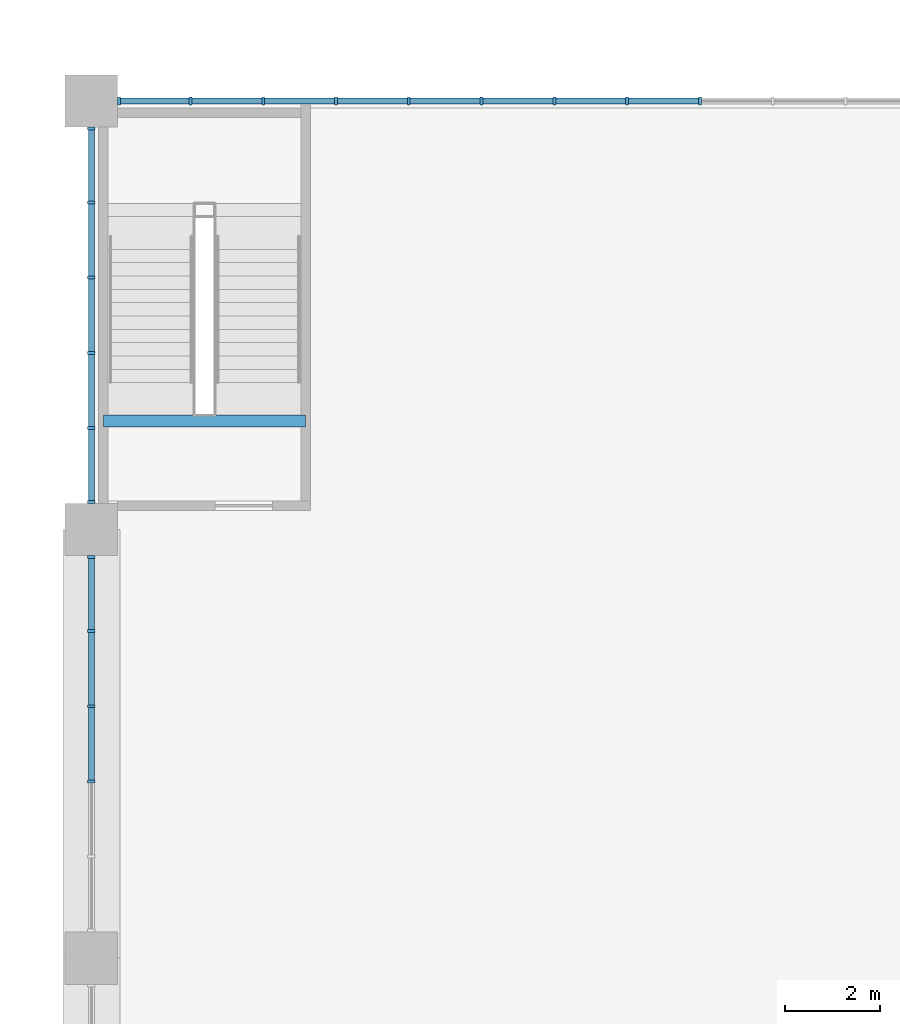
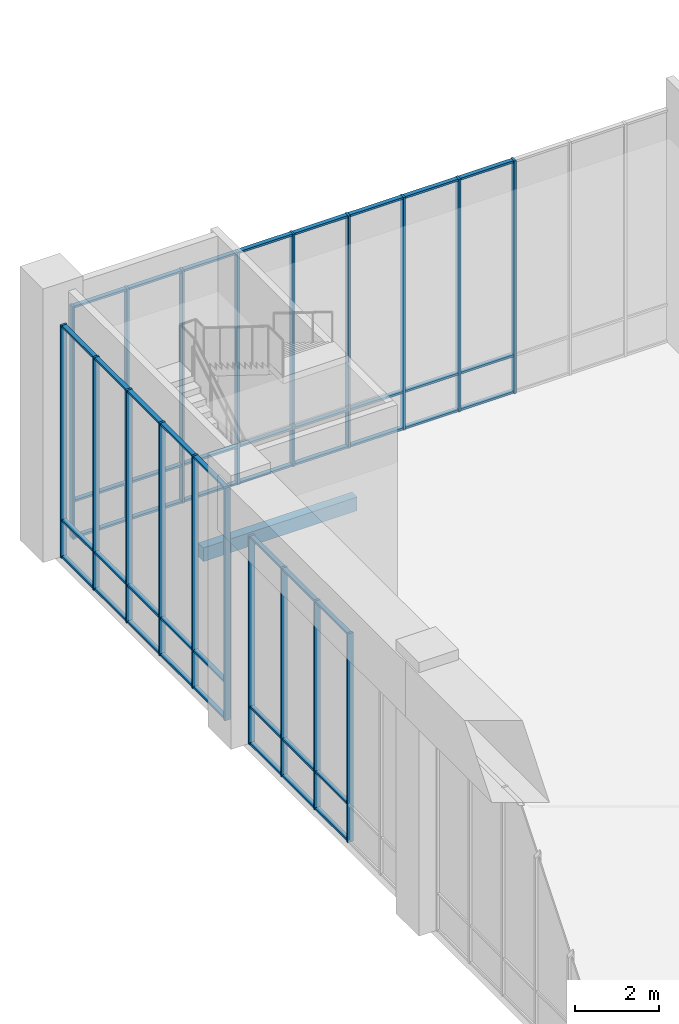
# One storey, part 8 of 26: 67 members, 1 beam, 3 elements without a shape of their own.
"""IFC4 building model written with IfcOpenShell, lengths in metres."""

from ifc_helpers import new_model, si_unit, direction, frame, origin, origin_2d, place, context, subcontext, project, spatial, rectangle, extrude, material, material_profile, profile_set, type_object, element, aggregate, save


model = new_model("IFC4")

# Units and contexts
model_context = context("Model", 3, precision=1e-05, world=origin(), true_north=direction((0.0, 1.0)))
body_context = subcontext(model_context, "Body", "Model", "MODEL_VIEW")
ifc_project = project(units=[si_unit("LENGTHUNIT", "METRE"), si_unit("AREAUNIT", "SQUARE_METRE"), si_unit("VOLUMEUNIT", "CUBIC_METRE"), si_unit("PLANEANGLEUNIT", "RADIAN"), si_unit("MASSUNIT", "GRAM", prefix="KILO")], contexts=[model_context])

# Site, building, storey
site_placement = place(None, origin())
site = spatial("IfcSite", under=ifc_project, at=site_placement, CompositionType="ELEMENT")
building_placement = place(site_placement, origin())
building = spatial("IfcBuilding", under=site, at=building_placement, Name="Kilele Tower Hotel", CompositionType="ELEMENT")
storey_placement = place(building_placement, frame((0.0, 0.0, 11.0)))
storey = spatial("IfcBuildingStorey", under=building, at=storey_placement, Name="L02", CompositionType="ELEMENT", Elevation=11.0)

# Beam
ifc_material_1 = material(Name="Concrete C40/50", Category="concrete")
ifc_material_profile_1 = material_profile(ifc_material_1, rectangle(XDim=0.25, YDim=0.39990234375, at=origin_2d()))
ifc_profile_set_1 = profile_set([ifc_material_profile_1], Name="Concrete C40/50")
beam_type = type_object("IfcBeamType", Name="Landing beam RC 250x400 C40/50", PredefinedType="BEAM", material=ifc_profile_set_1)
beam_placement = place(storey_placement, frame((-17.75, 33.77490234375, 3.77392578125), z_axis=(1.0, 0.0, 0.0), x_axis=(0.0, 1.0, 0.0)))
element("IfcBeam", 1, at=beam_placement, inside=storey, type_object=beam_type, Name="Landing beam ST3 L02", PredefinedType="BEAM", context=body_context, shape_type="SweptSolid", body=[
    extrude(rectangle(XDim=0.25, YDim=0.39990234375, at=origin_2d()), origin(), (0.0, 0.0, 1.0), 4.25),
])

# Curtain wall, members
ifc_material_2 = material(Name="Aluminium curtain wall, clear double glazing", Category="aluminium")
curtain_wall_type_1 = type_object("IfcCurtainWallType", Name="Podium curtain wall CW-1", PredefinedType="NOTDEFINED", material=ifc_material_2)
curtain_wall_1_placement = place(storey_placement, origin())
curtain_wall_1 = element("IfcCurtainWall", 2, at=curtain_wall_1_placement, inside=storey, type_object=curtain_wall_type_1, Name="Podium curtain wall CW-1 L02", PredefinedType="NOTDEFINED")
ifc_material_3 = material(Name="Aluminium EN AW-6063 T6", Category="aluminium")
ifc_material_profile_2 = material_profile(ifc_material_3, rectangle(XDim=0.159912109375, YDim=0.06005859375, at=origin_2d()))
ifc_profile_set_2 = profile_set([ifc_material_profile_2], Name="Aluminium EN AW-6063 T6")
member_type_1 = type_object("IfcMemberType", Name="Mullion 60x160 CW-1", PredefinedType="MULLION", material=ifc_profile_set_2)
member_1_placement = place(storey_placement, frame((-5.221435546875, 40.5, 0.0), z_axis=(0.0, 0.0, 1.0), x_axis=(0.0, -1.0, 0.0)))
member_1 = element("IfcMember", 3, at=member_1_placement, type_object=member_type_1, Name="CW-1 mullion 7", PredefinedType="MULLION", context=body_context, shape_type="SweptSolid", body=[
    extrude(rectangle(XDim=0.159912109375, YDim=0.06005859375, at=origin_2d()), origin(), (0.0, 0.0, 1.0), 6.800048828125),
])
member_2_placement = place(storey_placement, frame((-6.75, 40.5, 0.0), z_axis=(0.0, 0.0, 1.0), x_axis=(0.0, -1.0, 0.0)))
member_2 = element("IfcMember", 4, at=member_2_placement, type_object=member_type_1, Name="CW-1 mullion 8", PredefinedType="MULLION", context=body_context, shape_type="SweptSolid", body=[
    extrude(rectangle(XDim=0.159912109375, YDim=0.06005859375, at=origin_2d()), origin(), (0.0, 0.0, 1.0), 6.800048828125),
])
member_3_placement = place(storey_placement, frame((-8.278564453125, 40.5, 0.0), z_axis=(0.0, 0.0, 1.0), x_axis=(0.0, -1.0, 0.0)))
member_3 = element("IfcMember", 5, at=member_3_placement, type_object=member_type_1, Name="CW-1 mullion 9", PredefinedType="MULLION", context=body_context, shape_type="SweptSolid", body=[
    extrude(rectangle(XDim=0.159912109375, YDim=0.06005859375, at=origin_2d()), origin(), (0.0, 0.0, 1.0), 6.800048828125),
])
member_4_placement = place(storey_placement, frame((-9.80712890625, 40.5, 0.0), z_axis=(0.0, 0.0, 1.0), x_axis=(0.0, -1.0, 0.0)))
member_4 = element("IfcMember", 6, at=member_4_placement, type_object=member_type_1, Name="CW-1 mullion 10", PredefinedType="MULLION", context=body_context, shape_type="SweptSolid", body=[
    extrude(rectangle(XDim=0.159912109375, YDim=0.06005859375, at=origin_2d()), origin(), (0.0, 0.0, 1.0), 6.800048828125),
])
member_5_placement = place(storey_placement, frame((-11.335693359375, 40.5, 0.0), z_axis=(0.0, 0.0, 1.0), x_axis=(0.0, -1.0, 0.0)))
member_5 = element("IfcMember", 7, at=member_5_placement, type_object=member_type_1, Name="CW-1 mullion 11", PredefinedType="MULLION", context=body_context, shape_type="SweptSolid", body=[
    extrude(rectangle(XDim=0.159912109375, YDim=0.06005859375, at=origin_2d()), origin(), (0.0, 0.0, 1.0), 6.800048828125),
])
member_6_placement = place(storey_placement, frame((-12.8642578125, 40.5, 0.0), z_axis=(0.0, 0.0, 1.0), x_axis=(0.0, -1.0, 0.0)))
member_6 = element("IfcMember", 8, at=member_6_placement, type_object=member_type_1, Name="CW-1 mullion 12", PredefinedType="MULLION", context=body_context, shape_type="SweptSolid", body=[
    extrude(rectangle(XDim=0.159912109375, YDim=0.06005859375, at=origin_2d()), origin(), (0.0, 0.0, 1.0), 6.800048828125),
])
member_7_placement = place(storey_placement, frame((-14.392822265625, 40.5, 0.0), z_axis=(0.0, 0.0, 1.0), x_axis=(0.0, -1.0, 0.0)))
member_7 = element("IfcMember", 9, at=member_7_placement, type_object=member_type_1, Name="CW-1 mullion 13", PredefinedType="MULLION", context=body_context, shape_type="SweptSolid", body=[
    extrude(rectangle(XDim=0.159912109375, YDim=0.06005859375, at=origin_2d()), origin(), (0.0, 0.0, 1.0), 6.800048828125),
])
member_8_placement = place(storey_placement, frame((-15.92138671875, 40.5, 0.0), z_axis=(0.0, 0.0, 1.0), x_axis=(0.0, -1.0, 0.0)))
member_8 = element("IfcMember", 10, at=member_8_placement, type_object=member_type_1, Name="CW-1 mullion 14", PredefinedType="MULLION", context=body_context, shape_type="SweptSolid", body=[
    extrude(rectangle(XDim=0.159912109375, YDim=0.06005859375, at=origin_2d()), origin(), (0.0, 0.0, 1.0), 6.800048828125),
])
member_9_placement = place(storey_placement, frame((-17.419921875, 40.5, 0.0), z_axis=(0.0, 0.0, 1.0), x_axis=(0.0, -1.0, 0.0)))
member_9 = element("IfcMember", 11, at=member_9_placement, type_object=member_type_1, Name="CW-1 mullion 15", PredefinedType="MULLION", context=body_context, shape_type="SweptSolid", body=[
    extrude(rectangle(XDim=0.159912109375, YDim=0.06005859375, at=origin_2d()), origin(), (0.0, 0.0, 1.0), 6.800048828125),
])

ifc_material_4 = material(Name="Aluminium curtain wall, clear double glazing", Category="aluminium")
curtain_wall_type_2 = type_object("IfcCurtainWallType", Name="Podium side curtain wall CW-2", PredefinedType="NOTDEFINED", material=ifc_material_4)
curtain_wall_2_placement = place(storey_placement, origin())
curtain_wall_2 = element("IfcCurtainWall", 12, at=curtain_wall_2_placement, inside=storey, type_object=curtain_wall_type_2, Name="Podium side curtain wall CW-2 L02", PredefinedType="NOTDEFINED")
ifc_material_5 = material(Name="Aluminium EN AW-6063 T6", Category="aluminium")
ifc_material_profile_3 = material_profile(ifc_material_5, rectangle(XDim=0.159912109375, YDim=0.06005859375, at=origin_2d()))
ifc_profile_set_3 = profile_set([ifc_material_profile_3], Name="Aluminium EN AW-6063 T6")
member_type_2 = type_object("IfcMemberType", Name="Mullion 60x160 CW-2", PredefinedType="MULLION", material=ifc_profile_set_3)
member_10_placement = place(storey_placement, frame((-18.0, 39.919921875, 0.0), z_axis=(0.0, 0.0, 1.0), x_axis=(1.0, 0.0, 0.0)))
member_10 = element("IfcMember", 13, at=member_10_placement, type_object=member_type_2, Name="CW-2 mullion 1", PredefinedType="MULLION", context=body_context, shape_type="SweptSolid", body=[
    extrude(rectangle(XDim=0.159912109375, YDim=0.06005859375, at=origin_2d()), origin(), (0.0, 0.0, 1.0), 6.800048828125),
])
member_11_placement = place(storey_placement, frame((-18.0, 38.3701171875, 0.0), z_axis=(0.0, 0.0, 1.0), x_axis=(1.0, 0.0, 0.0)))
member_11 = element("IfcMember", 14, at=member_11_placement, type_object=member_type_2, Name="CW-2 mullion 2", PredefinedType="MULLION", context=body_context, shape_type="SweptSolid", body=[
    extrude(rectangle(XDim=0.159912109375, YDim=0.06005859375, at=origin_2d()), origin(), (0.0, 0.0, 1.0), 6.800048828125),
])
member_12_placement = place(storey_placement, frame((-18.0, 36.7900390625, 0.0), z_axis=(0.0, 0.0, 1.0), x_axis=(1.0, 0.0, 0.0)))
member_12 = element("IfcMember", 15, at=member_12_placement, type_object=member_type_2, Name="CW-2 mullion 3", PredefinedType="MULLION", context=body_context, shape_type="SweptSolid", body=[
    extrude(rectangle(XDim=0.159912109375, YDim=0.06005859375, at=origin_2d()), origin(), (0.0, 0.0, 1.0), 6.800048828125),
])
member_13_placement = place(storey_placement, frame((-18.0, 35.2099609375, 0.0), z_axis=(0.0, 0.0, 1.0), x_axis=(1.0, 0.0, 0.0)))
member_13 = element("IfcMember", 16, at=member_13_placement, type_object=member_type_2, Name="CW-2 mullion 4", PredefinedType="MULLION", context=body_context, shape_type="SweptSolid", body=[
    extrude(rectangle(XDim=0.159912109375, YDim=0.06005859375, at=origin_2d()), origin(), (0.0, 0.0, 1.0), 6.800048828125),
])
member_14_placement = place(storey_placement, frame((-18.0, 33.6298828125, 0.0), z_axis=(0.0, 0.0, 1.0), x_axis=(1.0, 0.0, 0.0)))
member_14 = element("IfcMember", 17, at=member_14_placement, type_object=member_type_2, Name="CW-2 mullion 5", PredefinedType="MULLION", context=body_context, shape_type="SweptSolid", body=[
    extrude(rectangle(XDim=0.159912109375, YDim=0.06005859375, at=origin_2d()), origin(), (0.0, 0.0, 1.0), 6.800048828125),
])
member_15_placement = place(storey_placement, frame((-18.0, 32.080078125, 0.0), z_axis=(0.0, 0.0, 1.0), x_axis=(1.0, 0.0, 0.0)))
member_15 = element("IfcMember", 18, at=member_15_placement, type_object=member_type_2, Name="CW-2 mullion 6", PredefinedType="MULLION", context=body_context, shape_type="SweptSolid", body=[
    extrude(rectangle(XDim=0.159912109375, YDim=0.06005859375, at=origin_2d()), origin(), (0.0, 0.0, 1.0), 6.800048828125),
])

curtain_wall_3_placement = place(storey_placement, origin())
curtain_wall_3 = element("IfcCurtainWall", 19, at=curtain_wall_3_placement, inside=storey, type_object=curtain_wall_type_2, Name="Podium side curtain wall CW-2 L02", PredefinedType="NOTDEFINED")
member_16_placement = place(storey_placement, frame((-18.0, 30.919921875, 0.0), z_axis=(0.0, 0.0, 1.0), x_axis=(1.0, 0.0, 0.0)))
member_16 = element("IfcMember", 20, at=member_16_placement, type_object=member_type_2, Name="CW-2 mullion 1", PredefinedType="MULLION", context=body_context, shape_type="SweptSolid", body=[
    extrude(rectangle(XDim=0.159912109375, YDim=0.06005859375, at=origin_2d()), origin(), (0.0, 0.0, 1.0), 6.10009765625),
])
member_17_placement = place(storey_placement, frame((-18.0, 29.3701171875, 0.0), z_axis=(0.0, 0.0, 1.0), x_axis=(1.0, 0.0, 0.0)))
member_17 = element("IfcMember", 21, at=member_17_placement, type_object=member_type_2, Name="CW-2 mullion 2", PredefinedType="MULLION", context=body_context, shape_type="SweptSolid", body=[
    extrude(rectangle(XDim=0.159912109375, YDim=0.06005859375, at=origin_2d()), origin(), (0.0, 0.0, 1.0), 6.10009765625),
])
member_18_placement = place(storey_placement, frame((-18.0, 27.7900390625, 0.0), z_axis=(0.0, 0.0, 1.0), x_axis=(1.0, 0.0, 0.0)))
member_18 = element("IfcMember", 22, at=member_18_placement, type_object=member_type_2, Name="CW-2 mullion 3", PredefinedType="MULLION", context=body_context, shape_type="SweptSolid", body=[
    extrude(rectangle(XDim=0.159912109375, YDim=0.06005859375, at=origin_2d()), origin(), (0.0, 0.0, 1.0), 6.10009765625),
])
member_19_placement = place(storey_placement, frame((-18.0, 26.2099609375, 0.0), z_axis=(0.0, 0.0, 1.0), x_axis=(1.0, 0.0, 0.0)))
member_19 = element("IfcMember", 23, at=member_19_placement, type_object=member_type_2, Name="CW-2 mullion 4", PredefinedType="MULLION", context=body_context, shape_type="SweptSolid", body=[
    extrude(rectangle(XDim=0.159912109375, YDim=0.06005859375, at=origin_2d()), origin(), (0.0, 0.0, 1.0), 6.10009765625),
])

# Member
ifc_material_6 = material(Name="Aluminium EN AW-6063 T6", Category="aluminium")
ifc_material_profile_4 = material_profile(ifc_material_6, rectangle(XDim=0.1201171875, YDim=0.06005859375, at=origin_2d()))
ifc_profile_set_4 = profile_set([ifc_material_profile_4], Name="Aluminium EN AW-6063 T6")
member_type_3 = type_object("IfcMemberType", Name="Transom 60x120 CW-1", PredefinedType="USERDEFINED", material=ifc_profile_set_4)
member_20_placement = place(storey_placement, frame((-5.25146484375, 40.5, 0.030029296875), z_axis=(-1.0, 0.0, 0.0), x_axis=(0.0, -1.0, 0.0)))
member_20 = element("IfcMember", 24, at=member_20_placement, type_object=member_type_3, Name="CW-1 transom 7.1", ObjectType="TRANSOM", PredefinedType="USERDEFINED", context=body_context, shape_type="SweptSolid", body=[
    extrude(rectangle(XDim=0.1201171875, YDim=0.06005859375, at=origin_2d()), origin(), (0.0, 0.0, 1.0), 1.468505859375),
])

member_21_placement = place(storey_placement, frame((-5.25146484375, 40.5, 1.10009765625), z_axis=(-1.0, 0.0, 0.0), x_axis=(0.0, -1.0, 0.0)))
member_21 = element("IfcMember", 25, at=member_21_placement, type_object=member_type_3, Name="CW-1 transom 7.2", ObjectType="TRANSOM", PredefinedType="USERDEFINED", context=body_context, shape_type="SweptSolid", body=[
    extrude(rectangle(XDim=0.1201171875, YDim=0.06005859375, at=origin_2d()), origin(), (0.0, 0.0, 1.0), 1.468505859375),
])

member_22_placement = place(storey_placement, frame((-5.25146484375, 40.5, 6.77001953125), z_axis=(-1.0, 0.0, 0.0), x_axis=(0.0, -1.0, 0.0)))
member_22 = element("IfcMember", 26, at=member_22_placement, type_object=member_type_3, Name="CW-1 transom 7.3", ObjectType="TRANSOM", PredefinedType="USERDEFINED", context=body_context, shape_type="SweptSolid", body=[
    extrude(rectangle(XDim=0.1201171875, YDim=0.06005859375, at=origin_2d()), origin(), (0.0, 0.0, 1.0), 1.468505859375),
])

member_23_placement = place(storey_placement, frame((-6.780029296875, 40.5, 0.030029296875), z_axis=(-1.0, 0.0, 0.0), x_axis=(0.0, -1.0, 0.0)))
member_23 = element("IfcMember", 27, at=member_23_placement, type_object=member_type_3, Name="CW-1 transom 8.1", ObjectType="TRANSOM", PredefinedType="USERDEFINED", context=body_context, shape_type="SweptSolid", body=[
    extrude(rectangle(XDim=0.1201171875, YDim=0.06005859375, at=origin_2d()), origin(), (0.0, 0.0, 1.0), 1.468505859375),
])

member_24_placement = place(storey_placement, frame((-6.780029296875, 40.5, 1.10009765625), z_axis=(-1.0, 0.0, 0.0), x_axis=(0.0, -1.0, 0.0)))
member_24 = element("IfcMember", 28, at=member_24_placement, type_object=member_type_3, Name="CW-1 transom 8.2", ObjectType="TRANSOM", PredefinedType="USERDEFINED", context=body_context, shape_type="SweptSolid", body=[
    extrude(rectangle(XDim=0.1201171875, YDim=0.06005859375, at=origin_2d()), origin(), (0.0, 0.0, 1.0), 1.468505859375),
])

member_25_placement = place(storey_placement, frame((-6.780029296875, 40.5, 6.77001953125), z_axis=(-1.0, 0.0, 0.0), x_axis=(0.0, -1.0, 0.0)))
member_25 = element("IfcMember", 29, at=member_25_placement, type_object=member_type_3, Name="CW-1 transom 8.3", ObjectType="TRANSOM", PredefinedType="USERDEFINED", context=body_context, shape_type="SweptSolid", body=[
    extrude(rectangle(XDim=0.1201171875, YDim=0.06005859375, at=origin_2d()), origin(), (0.0, 0.0, 1.0), 1.468505859375),
])

member_26_placement = place(storey_placement, frame((-8.30859375, 40.5, 0.030029296875), z_axis=(-1.0, 0.0, 0.0), x_axis=(0.0, -1.0, 0.0)))
member_26 = element("IfcMember", 30, at=member_26_placement, type_object=member_type_3, Name="CW-1 transom 9.1", ObjectType="TRANSOM", PredefinedType="USERDEFINED", context=body_context, shape_type="SweptSolid", body=[
    extrude(rectangle(XDim=0.1201171875, YDim=0.06005859375, at=origin_2d()), origin(), (0.0, 0.0, 1.0), 1.468505859375),
])

member_27_placement = place(storey_placement, frame((-8.30859375, 40.5, 1.10009765625), z_axis=(-1.0, 0.0, 0.0), x_axis=(0.0, -1.0, 0.0)))
member_27 = element("IfcMember", 31, at=member_27_placement, type_object=member_type_3, Name="CW-1 transom 9.2", ObjectType="TRANSOM", PredefinedType="USERDEFINED", context=body_context, shape_type="SweptSolid", body=[
    extrude(rectangle(XDim=0.1201171875, YDim=0.06005859375, at=origin_2d()), origin(), (0.0, 0.0, 1.0), 1.468505859375),
])

member_28_placement = place(storey_placement, frame((-8.30859375, 40.5, 6.77001953125), z_axis=(-1.0, 0.0, 0.0), x_axis=(0.0, -1.0, 0.0)))
member_28 = element("IfcMember", 32, at=member_28_placement, type_object=member_type_3, Name="CW-1 transom 9.3", ObjectType="TRANSOM", PredefinedType="USERDEFINED", context=body_context, shape_type="SweptSolid", body=[
    extrude(rectangle(XDim=0.1201171875, YDim=0.06005859375, at=origin_2d()), origin(), (0.0, 0.0, 1.0), 1.468505859375),
])

member_29_placement = place(storey_placement, frame((-9.837158203125, 40.5, 0.030029296875), z_axis=(-1.0, 0.0, 0.0), x_axis=(0.0, -1.0, 0.0)))
member_29 = element("IfcMember", 33, at=member_29_placement, type_object=member_type_3, Name="CW-1 transom 10.1", ObjectType="TRANSOM", PredefinedType="USERDEFINED", context=body_context, shape_type="SweptSolid", body=[
    extrude(rectangle(XDim=0.1201171875, YDim=0.06005859375, at=origin_2d()), origin(), (0.0, 0.0, 1.0), 1.468505859375),
])

member_30_placement = place(storey_placement, frame((-9.837158203125, 40.5, 1.10009765625), z_axis=(-1.0, 0.0, 0.0), x_axis=(0.0, -1.0, 0.0)))
member_30 = element("IfcMember", 34, at=member_30_placement, type_object=member_type_3, Name="CW-1 transom 10.2", ObjectType="TRANSOM", PredefinedType="USERDEFINED", context=body_context, shape_type="SweptSolid", body=[
    extrude(rectangle(XDim=0.1201171875, YDim=0.06005859375, at=origin_2d()), origin(), (0.0, 0.0, 1.0), 1.468505859375),
])

member_31_placement = place(storey_placement, frame((-9.837158203125, 40.5, 6.77001953125), z_axis=(-1.0, 0.0, 0.0), x_axis=(0.0, -1.0, 0.0)))
member_31 = element("IfcMember", 35, at=member_31_placement, type_object=member_type_3, Name="CW-1 transom 10.3", ObjectType="TRANSOM", PredefinedType="USERDEFINED", context=body_context, shape_type="SweptSolid", body=[
    extrude(rectangle(XDim=0.1201171875, YDim=0.06005859375, at=origin_2d()), origin(), (0.0, 0.0, 1.0), 1.468505859375),
])

member_32_placement = place(storey_placement, frame((-11.36572265625, 40.5, 0.030029296875), z_axis=(-1.0, 0.0, 0.0), x_axis=(0.0, -1.0, 0.0)))
member_32 = element("IfcMember", 36, at=member_32_placement, type_object=member_type_3, Name="CW-1 transom 11.1", ObjectType="TRANSOM", PredefinedType="USERDEFINED", context=body_context, shape_type="SweptSolid", body=[
    extrude(rectangle(XDim=0.1201171875, YDim=0.06005859375, at=origin_2d()), origin(), (0.0, 0.0, 1.0), 1.468505859375),
])

member_33_placement = place(storey_placement, frame((-11.36572265625, 40.5, 1.10009765625), z_axis=(-1.0, 0.0, 0.0), x_axis=(0.0, -1.0, 0.0)))
member_33 = element("IfcMember", 37, at=member_33_placement, type_object=member_type_3, Name="CW-1 transom 11.2", ObjectType="TRANSOM", PredefinedType="USERDEFINED", context=body_context, shape_type="SweptSolid", body=[
    extrude(rectangle(XDim=0.1201171875, YDim=0.06005859375, at=origin_2d()), origin(), (0.0, 0.0, 1.0), 1.468505859375),
])

member_34_placement = place(storey_placement, frame((-11.36572265625, 40.5, 6.77001953125), z_axis=(-1.0, 0.0, 0.0), x_axis=(0.0, -1.0, 0.0)))
member_34 = element("IfcMember", 38, at=member_34_placement, type_object=member_type_3, Name="CW-1 transom 11.3", ObjectType="TRANSOM", PredefinedType="USERDEFINED", context=body_context, shape_type="SweptSolid", body=[
    extrude(rectangle(XDim=0.1201171875, YDim=0.06005859375, at=origin_2d()), origin(), (0.0, 0.0, 1.0), 1.468505859375),
])

member_35_placement = place(storey_placement, frame((-12.894287109375, 40.5, 0.030029296875), z_axis=(-1.0, 0.0, 0.0), x_axis=(0.0, -1.0, 0.0)))
member_35 = element("IfcMember", 39, at=member_35_placement, type_object=member_type_3, Name="CW-1 transom 12.1", ObjectType="TRANSOM", PredefinedType="USERDEFINED", context=body_context, shape_type="SweptSolid", body=[
    extrude(rectangle(XDim=0.1201171875, YDim=0.06005859375, at=origin_2d()), origin(), (0.0, 0.0, 1.0), 1.468505859375),
])

member_36_placement = place(storey_placement, frame((-12.894287109375, 40.5, 1.10009765625), z_axis=(-1.0, 0.0, 0.0), x_axis=(0.0, -1.0, 0.0)))
member_36 = element("IfcMember", 40, at=member_36_placement, type_object=member_type_3, Name="CW-1 transom 12.2", ObjectType="TRANSOM", PredefinedType="USERDEFINED", context=body_context, shape_type="SweptSolid", body=[
    extrude(rectangle(XDim=0.1201171875, YDim=0.06005859375, at=origin_2d()), origin(), (0.0, 0.0, 1.0), 1.468505859375),
])

member_37_placement = place(storey_placement, frame((-12.894287109375, 40.5, 6.77001953125), z_axis=(-1.0, 0.0, 0.0), x_axis=(0.0, -1.0, 0.0)))
member_37 = element("IfcMember", 41, at=member_37_placement, type_object=member_type_3, Name="CW-1 transom 12.3", ObjectType="TRANSOM", PredefinedType="USERDEFINED", context=body_context, shape_type="SweptSolid", body=[
    extrude(rectangle(XDim=0.1201171875, YDim=0.06005859375, at=origin_2d()), origin(), (0.0, 0.0, 1.0), 1.468505859375),
])

member_38_placement = place(storey_placement, frame((-14.4228515625, 40.5, 0.030029296875), z_axis=(-1.0, 0.0, 0.0), x_axis=(0.0, -1.0, 0.0)))
member_38 = element("IfcMember", 42, at=member_38_placement, type_object=member_type_3, Name="CW-1 transom 13.1", ObjectType="TRANSOM", PredefinedType="USERDEFINED", context=body_context, shape_type="SweptSolid", body=[
    extrude(rectangle(XDim=0.1201171875, YDim=0.06005859375, at=origin_2d()), origin(), (0.0, 0.0, 1.0), 1.468505859375),
])

member_39_placement = place(storey_placement, frame((-14.4228515625, 40.5, 1.10009765625), z_axis=(-1.0, 0.0, 0.0), x_axis=(0.0, -1.0, 0.0)))
member_39 = element("IfcMember", 43, at=member_39_placement, type_object=member_type_3, Name="CW-1 transom 13.2", ObjectType="TRANSOM", PredefinedType="USERDEFINED", context=body_context, shape_type="SweptSolid", body=[
    extrude(rectangle(XDim=0.1201171875, YDim=0.06005859375, at=origin_2d()), origin(), (0.0, 0.0, 1.0), 1.468505859375),
])

member_40_placement = place(storey_placement, frame((-14.4228515625, 40.5, 6.77001953125), z_axis=(-1.0, 0.0, 0.0), x_axis=(0.0, -1.0, 0.0)))
member_40 = element("IfcMember", 44, at=member_40_placement, type_object=member_type_3, Name="CW-1 transom 13.3", ObjectType="TRANSOM", PredefinedType="USERDEFINED", context=body_context, shape_type="SweptSolid", body=[
    extrude(rectangle(XDim=0.1201171875, YDim=0.06005859375, at=origin_2d()), origin(), (0.0, 0.0, 1.0), 1.468505859375),
])

member_41_placement = place(storey_placement, frame((-15.951416015625, 40.5, 0.030029296875), z_axis=(-1.0, 0.0, 0.0), x_axis=(0.0, -1.0, 0.0)))
member_41 = element("IfcMember", 45, at=member_41_placement, type_object=member_type_3, Name="CW-1 transom 14.1", ObjectType="TRANSOM", PredefinedType="USERDEFINED", context=body_context, shape_type="SweptSolid", body=[
    extrude(rectangle(XDim=0.1201171875, YDim=0.06005859375, at=origin_2d()), origin(), (0.0, 0.0, 1.0), 1.4384765625),
])

member_42_placement = place(storey_placement, frame((-15.951416015625, 40.5, 1.10009765625), z_axis=(-1.0, 0.0, 0.0), x_axis=(0.0, -1.0, 0.0)))
member_42 = element("IfcMember", 46, at=member_42_placement, type_object=member_type_3, Name="CW-1 transom 14.2", ObjectType="TRANSOM", PredefinedType="USERDEFINED", context=body_context, shape_type="SweptSolid", body=[
    extrude(rectangle(XDim=0.1201171875, YDim=0.06005859375, at=origin_2d()), origin(), (0.0, 0.0, 1.0), 1.4384765625),
])

member_43_placement = place(storey_placement, frame((-15.951416015625, 40.5, 6.77001953125), z_axis=(-1.0, 0.0, 0.0), x_axis=(0.0, -1.0, 0.0)))
member_43 = element("IfcMember", 47, at=member_43_placement, type_object=member_type_3, Name="CW-1 transom 14.3", ObjectType="TRANSOM", PredefinedType="USERDEFINED", context=body_context, shape_type="SweptSolid", body=[
    extrude(rectangle(XDim=0.1201171875, YDim=0.06005859375, at=origin_2d()), origin(), (0.0, 0.0, 1.0), 1.4384765625),
])

aggregate(curtain_wall_1, [member_1, member_2, member_3, member_4, member_5, member_6, member_7, member_8, member_9, member_20, member_21, member_22, member_23, member_24, member_25, member_26, member_27, member_28, member_29, member_30, member_31, member_32, member_33, member_34, member_35, member_36, member_37, member_38, member_39, member_40, member_41, member_42, member_43])

ifc_material_7 = material(Name="Aluminium EN AW-6063 T6", Category="aluminium")
ifc_material_profile_5 = material_profile(ifc_material_7, rectangle(XDim=0.1201171875, YDim=0.06005859375, at=origin_2d()))
ifc_profile_set_5 = profile_set([ifc_material_profile_5], Name="Aluminium EN AW-6063 T6")
member_type_4 = type_object("IfcMemberType", Name="Transom 60x120 CW-2", PredefinedType="USERDEFINED", material=ifc_profile_set_5)
member_44_placement = place(storey_placement, frame((-18.0, 39.889892578125, 0.030029296875), z_axis=(0.0, -1.0, 0.0), x_axis=(1.0, 0.0, 0.0)))
member_44 = element("IfcMember", 48, at=member_44_placement, type_object=member_type_4, Name="CW-2 transom 1.1", ObjectType="TRANSOM", PredefinedType="USERDEFINED", context=body_context, shape_type="SweptSolid", body=[
    extrude(rectangle(XDim=0.1201171875, YDim=0.06005859375, at=origin_2d()), origin(), (0.0, 0.0, 1.0), 1.489990234375),
])

member_45_placement = place(storey_placement, frame((-18.0, 39.889892578125, 1.10009765625), z_axis=(0.0, -1.0, 0.0), x_axis=(1.0, 0.0, 0.0)))
member_45 = element("IfcMember", 49, at=member_45_placement, type_object=member_type_4, Name="CW-2 transom 1.2", ObjectType="TRANSOM", PredefinedType="USERDEFINED", context=body_context, shape_type="SweptSolid", body=[
    extrude(rectangle(XDim=0.1201171875, YDim=0.06005859375, at=origin_2d()), origin(), (0.0, 0.0, 1.0), 1.489990234375),
])

member_46_placement = place(storey_placement, frame((-18.0, 39.889892578125, 6.77001953125), z_axis=(0.0, -1.0, 0.0), x_axis=(1.0, 0.0, 0.0)))
member_46 = element("IfcMember", 50, at=member_46_placement, type_object=member_type_4, Name="CW-2 transom 1.3", ObjectType="TRANSOM", PredefinedType="USERDEFINED", context=body_context, shape_type="SweptSolid", body=[
    extrude(rectangle(XDim=0.1201171875, YDim=0.06005859375, at=origin_2d()), origin(), (0.0, 0.0, 1.0), 1.489990234375),
])

member_47_placement = place(storey_placement, frame((-18.0, 38.340087890625, 0.030029296875), z_axis=(0.0, -1.0, 0.0), x_axis=(1.0, 0.0, 0.0)))
member_47 = element("IfcMember", 51, at=member_47_placement, type_object=member_type_4, Name="CW-2 transom 2.1", ObjectType="TRANSOM", PredefinedType="USERDEFINED", context=body_context, shape_type="SweptSolid", body=[
    extrude(rectangle(XDim=0.1201171875, YDim=0.06005859375, at=origin_2d()), origin(), (0.0, 0.0, 1.0), 1.52001953125),
])

member_48_placement = place(storey_placement, frame((-18.0, 38.340087890625, 1.10009765625), z_axis=(0.0, -1.0, 0.0), x_axis=(1.0, 0.0, 0.0)))
member_48 = element("IfcMember", 52, at=member_48_placement, type_object=member_type_4, Name="CW-2 transom 2.2", ObjectType="TRANSOM", PredefinedType="USERDEFINED", context=body_context, shape_type="SweptSolid", body=[
    extrude(rectangle(XDim=0.1201171875, YDim=0.06005859375, at=origin_2d()), origin(), (0.0, 0.0, 1.0), 1.52001953125),
])

member_49_placement = place(storey_placement, frame((-18.0, 38.340087890625, 6.77001953125), z_axis=(0.0, -1.0, 0.0), x_axis=(1.0, 0.0, 0.0)))
member_49 = element("IfcMember", 53, at=member_49_placement, type_object=member_type_4, Name="CW-2 transom 2.3", ObjectType="TRANSOM", PredefinedType="USERDEFINED", context=body_context, shape_type="SweptSolid", body=[
    extrude(rectangle(XDim=0.1201171875, YDim=0.06005859375, at=origin_2d()), origin(), (0.0, 0.0, 1.0), 1.52001953125),
])

member_50_placement = place(storey_placement, frame((-18.0, 36.760009765625, 0.030029296875), z_axis=(0.0, -1.0, 0.0), x_axis=(1.0, 0.0, 0.0)))
member_50 = element("IfcMember", 54, at=member_50_placement, type_object=member_type_4, Name="CW-2 transom 3.1", ObjectType="TRANSOM", PredefinedType="USERDEFINED", context=body_context, shape_type="SweptSolid", body=[
    extrude(rectangle(XDim=0.1201171875, YDim=0.06005859375, at=origin_2d()), origin(), (0.0, 0.0, 1.0), 1.52001953125),
])

member_51_placement = place(storey_placement, frame((-18.0, 36.760009765625, 1.10009765625), z_axis=(0.0, -1.0, 0.0), x_axis=(1.0, 0.0, 0.0)))
member_51 = element("IfcMember", 55, at=member_51_placement, type_object=member_type_4, Name="CW-2 transom 3.2", ObjectType="TRANSOM", PredefinedType="USERDEFINED", context=body_context, shape_type="SweptSolid", body=[
    extrude(rectangle(XDim=0.1201171875, YDim=0.06005859375, at=origin_2d()), origin(), (0.0, 0.0, 1.0), 1.52001953125),
])

member_52_placement = place(storey_placement, frame((-18.0, 36.760009765625, 6.77001953125), z_axis=(0.0, -1.0, 0.0), x_axis=(1.0, 0.0, 0.0)))
member_52 = element("IfcMember", 56, at=member_52_placement, type_object=member_type_4, Name="CW-2 transom 3.3", ObjectType="TRANSOM", PredefinedType="USERDEFINED", context=body_context, shape_type="SweptSolid", body=[
    extrude(rectangle(XDim=0.1201171875, YDim=0.06005859375, at=origin_2d()), origin(), (0.0, 0.0, 1.0), 1.52001953125),
])

member_53_placement = place(storey_placement, frame((-18.0, 35.179931640625, 0.030029296875), z_axis=(0.0, -1.0, 0.0), x_axis=(1.0, 0.0, 0.0)))
member_53 = element("IfcMember", 57, at=member_53_placement, type_object=member_type_4, Name="CW-2 transom 4.1", ObjectType="TRANSOM", PredefinedType="USERDEFINED", context=body_context, shape_type="SweptSolid", body=[
    extrude(rectangle(XDim=0.1201171875, YDim=0.06005859375, at=origin_2d()), origin(), (0.0, 0.0, 1.0), 1.52001953125),
])

member_54_placement = place(storey_placement, frame((-18.0, 35.179931640625, 1.10009765625), z_axis=(0.0, -1.0, 0.0), x_axis=(1.0, 0.0, 0.0)))
member_54 = element("IfcMember", 58, at=member_54_placement, type_object=member_type_4, Name="CW-2 transom 4.2", ObjectType="TRANSOM", PredefinedType="USERDEFINED", context=body_context, shape_type="SweptSolid", body=[
    extrude(rectangle(XDim=0.1201171875, YDim=0.06005859375, at=origin_2d()), origin(), (0.0, 0.0, 1.0), 1.52001953125),
])

member_55_placement = place(storey_placement, frame((-18.0, 35.179931640625, 6.77001953125), z_axis=(0.0, -1.0, 0.0), x_axis=(1.0, 0.0, 0.0)))
member_55 = element("IfcMember", 59, at=member_55_placement, type_object=member_type_4, Name="CW-2 transom 4.3", ObjectType="TRANSOM", PredefinedType="USERDEFINED", context=body_context, shape_type="SweptSolid", body=[
    extrude(rectangle(XDim=0.1201171875, YDim=0.06005859375, at=origin_2d()), origin(), (0.0, 0.0, 1.0), 1.52001953125),
])

member_56_placement = place(storey_placement, frame((-18.0, 33.60009765625, 0.030029296875), z_axis=(0.0, -1.0, 0.0), x_axis=(1.0, 0.0, 0.0)))
member_56 = element("IfcMember", 60, at=member_56_placement, type_object=member_type_4, Name="CW-2 transom 5.1", ObjectType="TRANSOM", PredefinedType="USERDEFINED", context=body_context, shape_type="SweptSolid", body=[
    extrude(rectangle(XDim=0.1201171875, YDim=0.06005859375, at=origin_2d()), origin(), (0.0, 0.0, 1.0), 1.489990234375),
])

member_57_placement = place(storey_placement, frame((-18.0, 33.60009765625, 1.10009765625), z_axis=(0.0, -1.0, 0.0), x_axis=(1.0, 0.0, 0.0)))
member_57 = element("IfcMember", 61, at=member_57_placement, type_object=member_type_4, Name="CW-2 transom 5.2", ObjectType="TRANSOM", PredefinedType="USERDEFINED", context=body_context, shape_type="SweptSolid", body=[
    extrude(rectangle(XDim=0.1201171875, YDim=0.06005859375, at=origin_2d()), origin(), (0.0, 0.0, 1.0), 1.489990234375),
])

member_58_placement = place(storey_placement, frame((-18.0, 33.60009765625, 6.77001953125), z_axis=(0.0, -1.0, 0.0), x_axis=(1.0, 0.0, 0.0)))
member_58 = element("IfcMember", 62, at=member_58_placement, type_object=member_type_4, Name="CW-2 transom 5.3", ObjectType="TRANSOM", PredefinedType="USERDEFINED", context=body_context, shape_type="SweptSolid", body=[
    extrude(rectangle(XDim=0.1201171875, YDim=0.06005859375, at=origin_2d()), origin(), (0.0, 0.0, 1.0), 1.489990234375),
])

aggregate(curtain_wall_2, [member_10, member_11, member_12, member_13, member_14, member_15, member_44, member_45, member_46, member_47, member_48, member_49, member_50, member_51, member_52, member_53, member_54, member_55, member_56, member_57, member_58])

member_59_placement = place(storey_placement, frame((-18.0, 30.889892578125, 0.030029296875), z_axis=(0.0, -1.0, 0.0), x_axis=(1.0, 0.0, 0.0)))
member_59 = element("IfcMember", 63, at=member_59_placement, type_object=member_type_4, Name="CW-2 transom 1.1", ObjectType="TRANSOM", PredefinedType="USERDEFINED", context=body_context, shape_type="SweptSolid", body=[
    extrude(rectangle(XDim=0.1201171875, YDim=0.06005859375, at=origin_2d()), origin(), (0.0, 0.0, 1.0), 1.489990234375),
])

member_60_placement = place(storey_placement, frame((-18.0, 30.889892578125, 1.10009765625), z_axis=(0.0, -1.0, 0.0), x_axis=(1.0, 0.0, 0.0)))
member_60 = element("IfcMember", 64, at=member_60_placement, type_object=member_type_4, Name="CW-2 transom 1.2", ObjectType="TRANSOM", PredefinedType="USERDEFINED", context=body_context, shape_type="SweptSolid", body=[
    extrude(rectangle(XDim=0.1201171875, YDim=0.06005859375, at=origin_2d()), origin(), (0.0, 0.0, 1.0), 1.489990234375),
])

member_61_placement = place(storey_placement, frame((-18.0, 30.889892578125, 6.070068359375), z_axis=(0.0, -1.0, 0.0), x_axis=(1.0, 0.0, 0.0)))
member_61 = element("IfcMember", 65, at=member_61_placement, type_object=member_type_4, Name="CW-2 transom 1.3", ObjectType="TRANSOM", PredefinedType="USERDEFINED", context=body_context, shape_type="SweptSolid", body=[
    extrude(rectangle(XDim=0.1201171875, YDim=0.06005859375, at=origin_2d()), origin(), (0.0, 0.0, 1.0), 1.489990234375),
])

member_62_placement = place(storey_placement, frame((-18.0, 29.340087890625, 0.030029296875), z_axis=(0.0, -1.0, 0.0), x_axis=(1.0, 0.0, 0.0)))
member_62 = element("IfcMember", 66, at=member_62_placement, type_object=member_type_4, Name="CW-2 transom 2.1", ObjectType="TRANSOM", PredefinedType="USERDEFINED", context=body_context, shape_type="SweptSolid", body=[
    extrude(rectangle(XDim=0.1201171875, YDim=0.06005859375, at=origin_2d()), origin(), (0.0, 0.0, 1.0), 1.52001953125),
])

member_63_placement = place(storey_placement, frame((-18.0, 29.340087890625, 1.10009765625), z_axis=(0.0, -1.0, 0.0), x_axis=(1.0, 0.0, 0.0)))
member_63 = element("IfcMember", 67, at=member_63_placement, type_object=member_type_4, Name="CW-2 transom 2.2", ObjectType="TRANSOM", PredefinedType="USERDEFINED", context=body_context, shape_type="SweptSolid", body=[
    extrude(rectangle(XDim=0.1201171875, YDim=0.06005859375, at=origin_2d()), origin(), (0.0, 0.0, 1.0), 1.52001953125),
])

member_64_placement = place(storey_placement, frame((-18.0, 29.340087890625, 6.070068359375), z_axis=(0.0, -1.0, 0.0), x_axis=(1.0, 0.0, 0.0)))
member_64 = element("IfcMember", 68, at=member_64_placement, type_object=member_type_4, Name="CW-2 transom 2.3", ObjectType="TRANSOM", PredefinedType="USERDEFINED", context=body_context, shape_type="SweptSolid", body=[
    extrude(rectangle(XDim=0.1201171875, YDim=0.06005859375, at=origin_2d()), origin(), (0.0, 0.0, 1.0), 1.52001953125),
])

member_65_placement = place(storey_placement, frame((-18.0, 27.760009765625, 0.030029296875), z_axis=(0.0, -1.0, 0.0), x_axis=(1.0, 0.0, 0.0)))
member_65 = element("IfcMember", 69, at=member_65_placement, type_object=member_type_4, Name="CW-2 transom 3.1", ObjectType="TRANSOM", PredefinedType="USERDEFINED", context=body_context, shape_type="SweptSolid", body=[
    extrude(rectangle(XDim=0.1201171875, YDim=0.06005859375, at=origin_2d()), origin(), (0.0, 0.0, 1.0), 1.52001953125),
])

member_66_placement = place(storey_placement, frame((-18.0, 27.760009765625, 1.10009765625), z_axis=(0.0, -1.0, 0.0), x_axis=(1.0, 0.0, 0.0)))
member_66 = element("IfcMember", 70, at=member_66_placement, type_object=member_type_4, Name="CW-2 transom 3.2", ObjectType="TRANSOM", PredefinedType="USERDEFINED", context=body_context, shape_type="SweptSolid", body=[
    extrude(rectangle(XDim=0.1201171875, YDim=0.06005859375, at=origin_2d()), origin(), (0.0, 0.0, 1.0), 1.52001953125),
])

member_67_placement = place(storey_placement, frame((-18.0, 27.760009765625, 6.070068359375), z_axis=(0.0, -1.0, 0.0), x_axis=(1.0, 0.0, 0.0)))
member_67 = element("IfcMember", 71, at=member_67_placement, type_object=member_type_4, Name="CW-2 transom 3.3", ObjectType="TRANSOM", PredefinedType="USERDEFINED", context=body_context, shape_type="SweptSolid", body=[
    extrude(rectangle(XDim=0.1201171875, YDim=0.06005859375, at=origin_2d()), origin(), (0.0, 0.0, 1.0), 1.52001953125),
])

aggregate(curtain_wall_3, [member_16, member_17, member_18, member_19, member_59, member_60, member_61, member_62, member_63, member_64, member_65, member_66, member_67])

save(model, "model.ifc")
